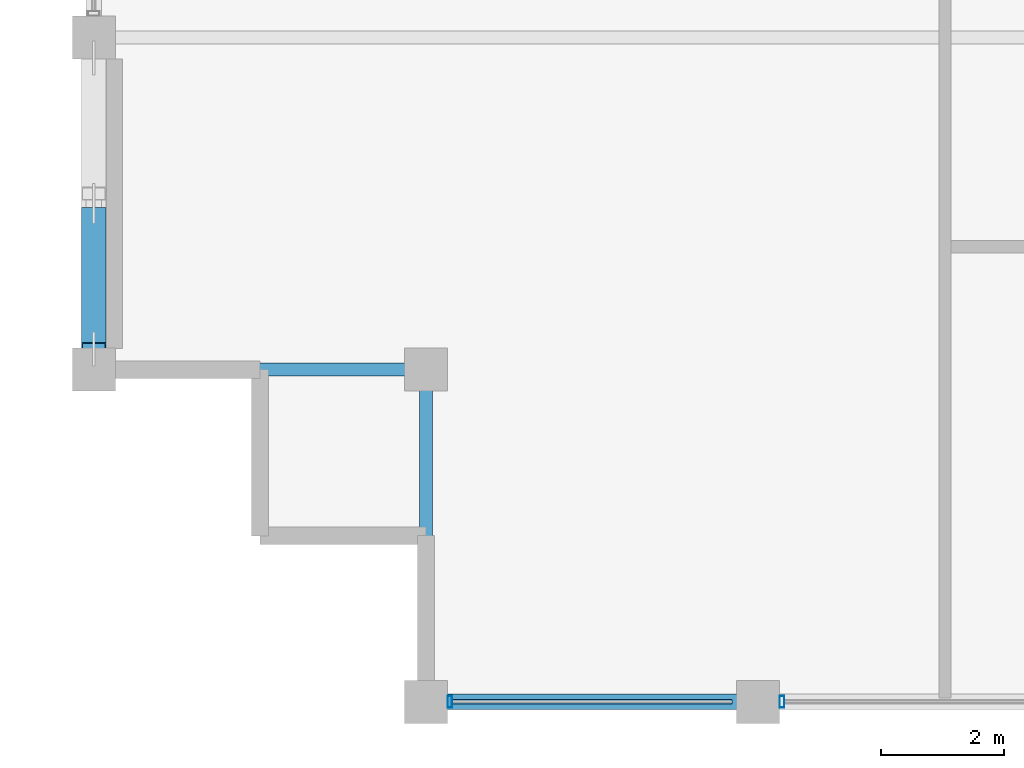
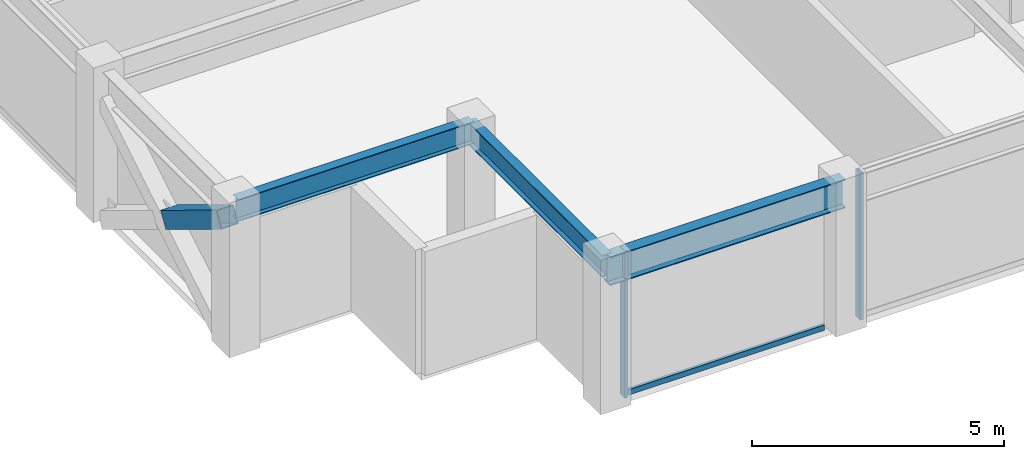
# One storey, part 2 of 30: 4 members, 3 beams, 1 element without a shape of its own.
"""IFC4 building model written with IfcOpenShell, lengths in metres."""

import ifcopenshell
import ifcopenshell.guid

model = None  # the IFC model being written
_history = None  # IfcOwnerHistory: only IFC2X3 demands one
_inside = {}  # id of a spatial element -> (the spatial element, [elements in it])
_under = {}  # id of a project, library or spatial element -> (it, [spatial elements below it])
_declared = {}  # id of a project -> (the project, [libraries it declares])
_typed = {}  # id of a type object -> (the type object, [elements of that type])
_made_of = {}  # id of a material, layer set ... -> (it, [elements and type objects made of it])


def new_model(schema):
    """Start an empty IFC model of exactly this schema.

    Asked for "IFC4X3", IfcOpenShell would pick the latest addendum, in which some entities
    have other attributes; the version numbers below select the first issue.
    IFC2X3 requires an IfcOwnerHistory on every rooted entity: one is made here for all.
    """
    global model, _history
    if schema == "IFC4X3":
        model = ifcopenshell.file(schema_version=(4, 3, 0, 0))
    else:
        model = ifcopenshell.file(schema=schema)
    _inside.clear()
    _under.clear()
    _declared.clear()
    _typed.clear()
    _made_of.clear()
    _history = None
    if model.schema == "IFC2X3":
        org = make("IfcOrganization", Name="unknown")
        user = make(
            "IfcPersonAndOrganization",
            ThePerson=make("IfcPerson", FamilyName="unknown"),
            TheOrganization=org,
        )
        app = make(
            "IfcApplication",
            ApplicationDeveloper=org,
            Version="unknown",
            ApplicationFullName="unknown",
            ApplicationIdentifier="unknown",
        )
        _history = make(
            "IfcOwnerHistory",
            OwningUser=user,
            OwningApplication=app,
            ChangeAction="ADDED",
            CreationDate=0,
        )
    return model


def make(cls, **values):
    """One entity of the class cls with the attributes given. An attribute that is None is left unset."""
    return model.create_entity(
        cls, **{name: value for name, value in values.items() if value is not None}
    )


def rooted(cls, **values):
    """An entity with a GlobalId (a new one), such as an element, a storey or a relation."""
    return make(cls, GlobalId=ifcopenshell.guid.new(), OwnerHistory=_history, **values)


def si_unit(unit_type, name, prefix=None):
    """IfcSIUnit, for example si_unit("LENGTHUNIT", "METRE", prefix="MILLI")."""
    return make("IfcSIUnit", UnitType=unit_type, Prefix=prefix, Name=name)


def assignment(units):
    """IfcUnitAssignment: the units of a project."""
    return None if units is None else make("IfcUnitAssignment", Units=units)


def point(xyz):
    """IfcCartesianPoint."""
    return None if xyz is None else make("IfcCartesianPoint", Coordinates=xyz)


def direction(xyz):
    """IfcDirection."""
    return None if xyz is None else make("IfcDirection", DirectionRatios=xyz)


def frame(location, z_axis=None, x_axis=None):
    """IfcAxis2Placement3D, a coordinate frame: its origin and axes. An axis left out is left unset."""
    return make(
        "IfcAxis2Placement3D",
        Location=point(location),
        Axis=direction(z_axis),
        RefDirection=direction(x_axis),
    )


def frame_2d(location, x_axis=None):
    """IfcAxis2Placement2D, a coordinate frame in the plane: its origin and x axis."""
    return make(
        "IfcAxis2Placement2D", Location=point(location), RefDirection=direction(x_axis)
    )


def origin():
    """The frame at (0, 0, 0) with its axes left unset."""
    return frame((0.0, 0.0, 0.0))


def origin_2d():
    """The frame at (0, 0) in the plane with its x axis left unset."""
    return frame_2d((0.0, 0.0))


def place(relative_to, where):
    """IfcLocalPlacement: puts the frame where relative to a parent placement (None: the world)."""
    return make(
        "IfcLocalPlacement", PlacementRelTo=relative_to, RelativePlacement=where
    )


def context(
    kind, dimensions, precision=None, world=None, true_north=None, identifier=None
):
    """IfcGeometricRepresentationContext, for example the 3D "Model" context."""
    return make(
        "IfcGeometricRepresentationContext",
        ContextIdentifier=identifier,
        ContextType=kind,
        CoordinateSpaceDimension=dimensions,
        Precision=precision,
        WorldCoordinateSystem=world,
        TrueNorth=true_north,
    )


def subcontext(parent, identifier, kind, view, scale=None):
    """IfcGeometricRepresentationSubContext, for example "Body" below "Model"."""
    return make(
        "IfcGeometricRepresentationSubContext",
        ContextIdentifier=identifier,
        ContextType=kind,
        ParentContext=parent,
        TargetScale=scale,
        TargetView=view,
    )


def project(units=None, contexts=None):
    """IfcProject with its units and contexts."""
    return rooted(
        "IfcProject",
        Name="project",
        RepresentationContexts=contexts,
        UnitsInContext=assignment(units),
    )


def spatial(cls, under=None, at=None, **own):
    """A site, building, storey or space (cls), placed at a placement, below another one or the project."""
    s = rooted(cls, ObjectPlacement=at, **own)
    if under is not None:
        _under.setdefault(under.id(), (under, []))[1].append(s)
    return s


def profile(cls, at=None, kind="AREA", **sizes):
    """A parametric profile (cls). Its sizes go by their IFC names, for example OverallWidth=200.0."""
    return make(cls, ProfileType=kind, Position=at, **sizes)


def hollow_rectangle(**sizes):
    """IfcRectangleHollowProfileDef."""
    return profile("IfcRectangleHollowProfileDef", **sizes)


def i_section(**sizes):
    """IfcIShapeProfileDef."""
    return profile("IfcIShapeProfileDef", **sizes)


def extrude(swept, where, along, depth):
    """IfcExtrudedAreaSolid: the profile swept, set in the frame where, extruded along a direction by depth."""
    return make(
        "IfcExtrudedAreaSolid",
        SweptArea=swept,
        Position=where,
        ExtrudedDirection=direction(along),
        Depth=depth,
    )


def shape(context_of_items, identifier, shape_type, items):
    """IfcShapeRepresentation: the items that make up one representation, for example the "Body"."""
    return make(
        "IfcShapeRepresentation",
        ContextOfItems=context_of_items,
        RepresentationIdentifier=identifier,
        RepresentationType=shape_type,
        Items=items,
    )


def material(Name=None, Category=None):
    """IfcMaterial."""
    return make("IfcMaterial", Name=Name, Category=Category)


def layer(
    of_material, thickness, ventilated=None, Name=None, Category=None, Priority=None
):
    """IfcMaterialLayer: one layer of a wall or slab, of a material (None: an air gap)."""
    return make(
        "IfcMaterialLayer",
        Material=of_material,
        LayerThickness=thickness,
        IsVentilated=ventilated,
        Name=Name,
        Category=Category,
        Priority=Priority,
    )


def layer_set(layers, Name=None):
    """IfcMaterialLayerSet."""
    return make("IfcMaterialLayerSet", MaterialLayers=layers, LayerSetName=Name)


def material_profile(
    of_material, cross_section, Name=None, Category=None, Priority=None
):
    """IfcMaterialProfile: a cross section and its material."""
    return make(
        "IfcMaterialProfile",
        Name=Name,
        Material=of_material,
        Profile=cross_section,
        Priority=Priority,
        Category=Category,
    )


def profile_set(profiles, Name=None, composite=None):
    """IfcMaterialProfileSet."""
    return make(
        "IfcMaterialProfileSet",
        Name=Name,
        MaterialProfiles=profiles,
        CompositeProfile=composite,
    )


def made_of(thing, what):
    """Note that an element or type object is made of a material, layer set ...; save() writes the relation."""
    if what is not None:
        _made_of.setdefault(what.id(), (what, []))[1].append(thing)
    return thing


def type_object(cls, material=None, **own):
    """A type object (cls), such as IfcWallType, which elements share."""
    return made_of(rooted(cls, **own), material)


def element(
    cls,
    number,
    at=None,
    inside=None,
    cuts=None,
    type_object=None,
    material=None,
    context=None,
    identifier="Body",
    shape_type=None,
    held_by="IfcProductDefinitionShape",
    body=None,
    shapes=None,
    **own,
):
    """One element of the class cls, such as IfcWall. Its Tag is "e" and its number.

    at: its placement. inside: the storey or other place that contains it. cuts: it is an
    opening in that element (IfcRelVoidsElement). A single representation is given by context,
    identifier, shape_type and body (its items); several are given by shapes. held_by: the class
    of the entity that holds the representations. save() writes the other relations.
    """
    e = rooted(cls, Tag="e%d" % number, ObjectPlacement=at, **own)
    if body is not None:
        shapes = [shape(context, identifier, shape_type, body)]
    if shapes is not None:
        e.Representation = make(held_by, Representations=shapes)
    if inside is not None:
        _inside.setdefault(inside.id(), (inside, []))[1].append(e)
    if cuts is not None:
        rooted(
            "IfcRelVoidsElement", RelatingBuildingElement=cuts, RelatedOpeningElement=e
        )
    if type_object is not None:
        _typed.setdefault(type_object.id(), (type_object, []))[1].append(e)
    return made_of(e, material)


def aggregate(whole, parts):
    """IfcRelAggregates: a whole, such as a stair, and the parts it consists of."""
    return rooted("IfcRelAggregates", RelatingObject=whole, RelatedObjects=parts)


def save(model, path):
    """Write the relations noted so far, then the file.

    IfcRelAggregates (storeys below a building ...), IfcRelContainedInSpatialStructure (elements
    in a storey), IfcRelDefinesByType, IfcRelAssociatesMaterial and IfcRelDeclares: one each for
    every whole, place, type object, material and project.
    """
    for whole, parts in _under.values():
        aggregate(whole, parts)
    for where, things in _inside.values():
        rooted(
            "IfcRelContainedInSpatialStructure",
            RelatedElements=things,
            RelatingStructure=where,
        )
    for kind, things in _typed.values():
        rooted("IfcRelDefinesByType", RelatedObjects=things, RelatingType=kind)
    for what, things in _made_of.values():
        rooted("IfcRelAssociatesMaterial", RelatedObjects=things, RelatingMaterial=what)
    for by, libraries in _declared.values():
        rooted("IfcRelDeclares", RelatingContext=by, RelatedDefinitions=libraries)
    model.write(path)


model = new_model("IFC4")

# Units and contexts
model_context = context("Model", 3, precision=1e-05, world=origin(), true_north=direction((0.0, 1.0)))
body_context = subcontext(model_context, "Body", "Model", "MODEL_VIEW")
ifc_project = project(units=[si_unit("LENGTHUNIT", "METRE"), si_unit("AREAUNIT", "SQUARE_METRE"), si_unit("VOLUMEUNIT", "CUBIC_METRE"), si_unit("PLANEANGLEUNIT", "RADIAN"), si_unit("MASSUNIT", "GRAM", prefix="KILO")], contexts=[model_context])

# Site, building, storey
site_placement = place(None, origin())
site = spatial("IfcSite", under=ifc_project, at=site_placement, CompositionType="ELEMENT")
building_placement = place(site_placement, origin())
building = spatial("IfcBuilding", under=site, at=building_placement, Name="Surkhivell Harbour Commons", CompositionType="ELEMENT")
storey_placement = place(building_placement, frame((0.0, 0.0, 281.25)))
storey = spatial("IfcBuildingStorey", under=building, at=storey_placement, Name="L73", CompositionType="ELEMENT", Elevation=281.25)

# Beams
ifc_material_1 = material(Name="Steel S355", Category="steel")
ifc_material_profile_1 = material_profile(ifc_material_1, i_section(OverallWidth=0.2099609375, OverallDepth=0.537109375, WebThickness=0.0107421875, FlangeThickness=0.017333984375, at=origin_2d()), Name="UB533x210x101")
ifc_profile_set_1 = profile_set([ifc_material_profile_1], Name="Steel S355")
beam_type_1 = type_object("IfcBeamType", Name="BM-GRD-533B", PredefinedType="BEAM", material=ifc_profile_set_1)
beam_1_placement = place(storey_placement, frame((-27.0, -16.199951171875, 3.301513671875), z_axis=(1.0, 0.0, 0.0), x_axis=(0.0, 1.0, 0.0)))
element("IfcBeam", 1, at=beam_1_placement, inside=storey, type_object=beam_type_1, Name="L73 Floor Girder (-27.0,-16.2)", PredefinedType="BEAM", context=body_context, shape_type="SweptSolid", body=[
    extrude(i_section(OverallWidth=0.2099609375, OverallDepth=0.537109375, WebThickness=0.0107421875, FlangeThickness=0.017333984375, at=origin_2d()), origin(), (0.0, 0.0, 1.0), 5.39990234375),
])
beam_2_placement = place(storey_placement, frame((-21.60009765625, -21.60009765625, 3.301513671875), z_axis=(0.0, 1.0, 0.0), x_axis=(-1.0, 0.0, 0.0)))
element("IfcBeam", 2, at=beam_2_placement, inside=storey, type_object=beam_type_1, Name="L73 Floor Girder (-21.6,-21.6)", PredefinedType="BEAM", context=body_context, shape_type="SweptSolid", body=[
    extrude(i_section(OverallWidth=0.2099609375, OverallDepth=0.537109375, WebThickness=0.0107421875, FlangeThickness=0.017333984375, at=origin_2d()), origin(), (0.0, 0.0, 1.0), 5.400146484375),
])
ifc_material_profile_2 = material_profile(ifc_material_1, i_section(OverallWidth=0.256103515625, OverallDepth=0.693115234375, WebThickness=0.014404296875, FlangeThickness=0.023681640625, at=origin_2d()), Name="UB686x254x170")
ifc_profile_set_2 = profile_set([ifc_material_profile_2], Name="Steel S355")
beam_type_2 = type_object("IfcBeamType", Name="BM-SPN-686", PredefinedType="SPANDREL", material=ifc_profile_set_2)
beam_3_placement = place(storey_placement, frame((-21.60009765625, -21.60009765625, 3.223388671875), z_axis=(1.0, 0.0, 0.0), x_axis=(0.0, 1.0, 0.0)))
element("IfcBeam", 3, at=beam_3_placement, inside=storey, type_object=beam_type_2, Name="L73 Tube Spandrel (-21.6,-21.6)", PredefinedType="SPANDREL", context=body_context, shape_type="SweptSolid", body=[
    extrude(i_section(OverallWidth=0.256103515625, OverallDepth=0.693115234375, WebThickness=0.014404296875, FlangeThickness=0.023681640625, at=origin_2d()), origin(), (0.0, 0.0, 1.0), 5.400146484375),
])

# Curtain wall, members
ifc_material_2 = material(Name="Anodised pale-metal aluminium and insulated glazing", Category="aluminium")
ifc_layer = layer(ifc_material_2, 0.175048828125)
ifc_layer_set = layer_set([ifc_layer], Name="Anodised pale-metal aluminium and insulated glazing")
curtain_wall_type = type_object("IfcCurtainWallType", Name="CW-SYS-Z4", PredefinedType="NOTDEFINED", material=ifc_layer_set)
curtain_wall_placement = place(storey_placement, origin())
curtain_wall = element("IfcCurtainWall", 4, at=curtain_wall_placement, inside=storey, type_object=curtain_wall_type, Name="L73 Curtain Wall CW-L73-E00S1", PredefinedType="NOTDEFINED")
ifc_material_3 = material(Name="Anodised pale-metal aluminium alloy 6063-T6", Category="aluminium")
ifc_material_profile_3 = material_profile(ifc_material_3, hollow_rectangle(XDim=0.074951171875, YDim=0.18994140625, WallThickness=0.00390625, at=origin_2d()), Name="ALU-MULL-75x190")
ifc_profile_set_3 = profile_set([ifc_material_profile_3], Name="Anodised pale-metal aluminium alloy 6063-T6")
member_type_1 = type_object("IfcMemberType", Name="CWM-190", PredefinedType="MULLION", material=ifc_profile_set_3)
member_1_placement = place(storey_placement, frame((-21.21044921875, -21.60009765625, 0.0), z_axis=(0.0, 0.0, 1.0), x_axis=(1.0, 0.0, 0.0)))
member_1 = element("IfcMember", 5, at=member_1_placement, type_object=member_type_1, Name="CW-Z4 mullion 1", PredefinedType="MULLION", context=body_context, shape_type="SweptSolid", body=[
    extrude(hollow_rectangle(XDim=0.074951171875, YDim=0.18994140625, WallThickness=0.00390625, at=origin_2d()), origin(), (0.0, 0.0, 1.0), 3.570068359375),
])
member_2_placement = place(storey_placement, frame((-15.810546875, -21.60009765625, 0.0), z_axis=(0.0, 0.0, 1.0), x_axis=(1.0, 0.0, 0.0)))
member_2 = element("IfcMember", 6, at=member_2_placement, type_object=member_type_1, Name="CW-Z4 mullion 2", PredefinedType="MULLION", context=body_context, shape_type="SweptSolid", body=[
    extrude(hollow_rectangle(XDim=0.074951171875, YDim=0.18994140625, WallThickness=0.00390625, at=origin_2d()), origin(), (0.0, 0.0, 1.0), 3.570068359375),
])
ifc_material_4 = material(Name="Champagne anodised aluminium alloy 6063-T6", Category="aluminium")
ifc_material_profile_4 = material_profile(ifc_material_4, hollow_rectangle(XDim=0.070068359375, YDim=0.1298828125, WallThickness=0.00341796875, at=origin_2d()), Name="ALU-TRAN-70x130")
ifc_profile_set_4 = profile_set([ifc_material_profile_4], Name="Champagne anodised aluminium alloy 6063-T6")
member_type_2 = type_object("IfcMemberType", Name="CWT-130", PredefinedType="USERDEFINED", material=ifc_profile_set_4)
member_3_placement = place(storey_placement, frame((-21.173095703125, -21.60009765625, 0.06494140625), z_axis=(1.0, 0.0, 0.0), x_axis=(0.0, 1.0, 0.0)))
member_3 = element("IfcMember", 7, at=member_3_placement, type_object=member_type_2, Name="CW-Z4 transom 1.1", ObjectType="TRANSOM", PredefinedType="USERDEFINED", context=body_context, shape_type="SweptSolid", body=[
    extrude(hollow_rectangle(XDim=0.070068359375, YDim=0.1298828125, WallThickness=0.00341796875, at=origin_2d()), origin(), (0.0, 0.0, 1.0), 4.546142578125),
])
aggregate(curtain_wall, [member_1, member_3, member_2])

# Member
ifc_material_5 = material(Name="Steel S460", Category="steel")
ifc_material_profile_5 = material_profile(ifc_material_5, hollow_rectangle(XDim=0.39990234375, YDim=0.39990234375, WallThickness=0.02001953125, at=origin_2d()), Name="SHS400x400x20")
ifc_profile_set_5 = profile_set([ifc_material_profile_5], Name="Steel S460")
member_type_3 = type_object("IfcMemberType", Name="MEM-BRC-SHS400", PredefinedType="BRACE", material=ifc_profile_set_5)
member_4_placement = place(storey_placement, frame((-27.0, -13.6640625, 1.544189453125), z_axis=(0.0, -0.854677846108, 0.519158722716), x_axis=(1.0, 0.0, 0.0)))
element("IfcMember", 8, at=member_4_placement, inside=storey, type_object=member_type_3, Name="L73 Perimeter Mega-Brace MB- 12", PredefinedType="BRACE", context=body_context, shape_type="SweptSolid", body=[
    extrude(hollow_rectangle(XDim=0.39990234375, YDim=0.39990234375, WallThickness=0.02001953125, at=origin_2d()), origin(), (0.0, 0.0, 1.0), 2.5751953125),
])

save(model, "model.ifc")
